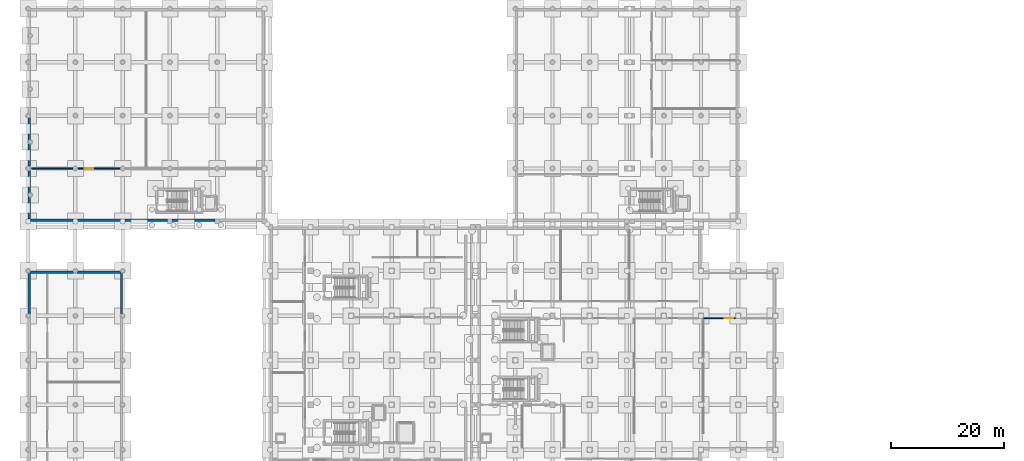
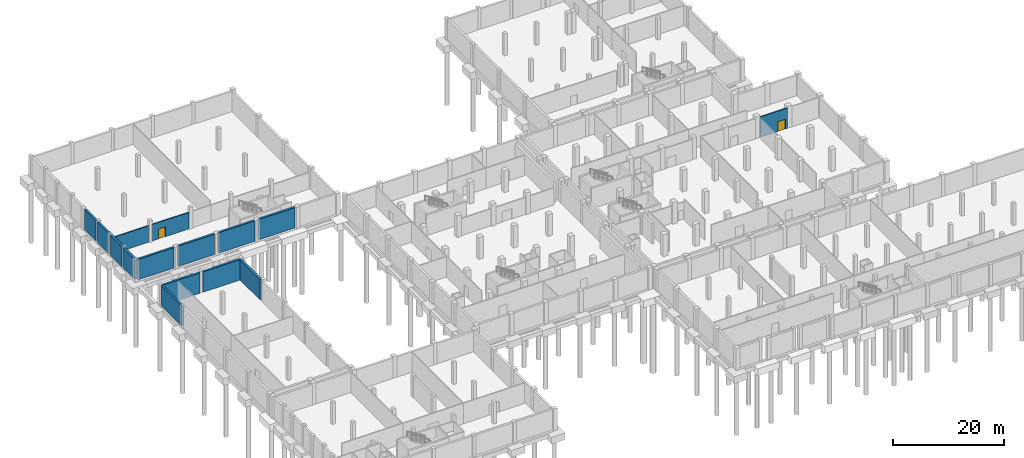
# One storey, part 18 of 29: 15 walls, 2 doors, 2 openings.
"""IFC4 building model written with IfcOpenShell, lengths in metres."""

import ifcopenshell
import ifcopenshell.guid

model = None  # the IFC model being written
_history = None  # IfcOwnerHistory: only IFC2X3 demands one
_inside = {}  # id of a spatial element -> (the spatial element, [elements in it])
_under = {}  # id of a project, library or spatial element -> (it, [spatial elements below it])
_declared = {}  # id of a project -> (the project, [libraries it declares])
_typed = {}  # id of a type object -> (the type object, [elements of that type])
_made_of = {}  # id of a material, layer set ... -> (it, [elements and type objects made of it])


def new_model(schema):
    """Start an empty IFC model of exactly this schema.

    Asked for "IFC4X3", IfcOpenShell would pick the latest addendum, in which some entities
    have other attributes; the version numbers below select the first issue.
    IFC2X3 requires an IfcOwnerHistory on every rooted entity: one is made here for all.
    """
    global model, _history
    if schema == "IFC4X3":
        model = ifcopenshell.file(schema_version=(4, 3, 0, 0))
    else:
        model = ifcopenshell.file(schema=schema)
    _inside.clear()
    _under.clear()
    _declared.clear()
    _typed.clear()
    _made_of.clear()
    _history = None
    if model.schema == "IFC2X3":
        org = make("IfcOrganization", Name="unknown")
        user = make(
            "IfcPersonAndOrganization",
            ThePerson=make("IfcPerson", FamilyName="unknown"),
            TheOrganization=org,
        )
        app = make(
            "IfcApplication",
            ApplicationDeveloper=org,
            Version="unknown",
            ApplicationFullName="unknown",
            ApplicationIdentifier="unknown",
        )
        _history = make(
            "IfcOwnerHistory",
            OwningUser=user,
            OwningApplication=app,
            ChangeAction="ADDED",
            CreationDate=0,
        )
    return model


def make(cls, **values):
    """One entity of the class cls with the attributes given. An attribute that is None is left unset."""
    return model.create_entity(
        cls, **{name: value for name, value in values.items() if value is not None}
    )


def rooted(cls, **values):
    """An entity with a GlobalId (a new one), such as an element, a storey or a relation."""
    return make(cls, GlobalId=ifcopenshell.guid.new(), OwnerHistory=_history, **values)


def si_unit(unit_type, name, prefix=None):
    """IfcSIUnit, for example si_unit("LENGTHUNIT", "METRE", prefix="MILLI")."""
    return make("IfcSIUnit", UnitType=unit_type, Prefix=prefix, Name=name)


def assignment(units):
    """IfcUnitAssignment: the units of a project."""
    return None if units is None else make("IfcUnitAssignment", Units=units)


def point(xyz):
    """IfcCartesianPoint."""
    return None if xyz is None else make("IfcCartesianPoint", Coordinates=xyz)


def direction(xyz):
    """IfcDirection."""
    return None if xyz is None else make("IfcDirection", DirectionRatios=xyz)


def frame(location, z_axis=None, x_axis=None):
    """IfcAxis2Placement3D, a coordinate frame: its origin and axes. An axis left out is left unset."""
    return make(
        "IfcAxis2Placement3D",
        Location=point(location),
        Axis=direction(z_axis),
        RefDirection=direction(x_axis),
    )


def frame_2d(location, x_axis=None):
    """IfcAxis2Placement2D, a coordinate frame in the plane: its origin and x axis."""
    return make(
        "IfcAxis2Placement2D", Location=point(location), RefDirection=direction(x_axis)
    )


def origin():
    """The frame at (0, 0, 0) with its axes left unset."""
    return frame((0.0, 0.0, 0.0))


def place(relative_to, where):
    """IfcLocalPlacement: puts the frame where relative to a parent placement (None: the world)."""
    return make(
        "IfcLocalPlacement", PlacementRelTo=relative_to, RelativePlacement=where
    )


def context(
    kind, dimensions, precision=None, world=None, true_north=None, identifier=None
):
    """IfcGeometricRepresentationContext, for example the 3D "Model" context."""
    return make(
        "IfcGeometricRepresentationContext",
        ContextIdentifier=identifier,
        ContextType=kind,
        CoordinateSpaceDimension=dimensions,
        Precision=precision,
        WorldCoordinateSystem=world,
        TrueNorth=true_north,
    )


def subcontext(parent, identifier, kind, view, scale=None):
    """IfcGeometricRepresentationSubContext, for example "Body" below "Model"."""
    return make(
        "IfcGeometricRepresentationSubContext",
        ContextIdentifier=identifier,
        ContextType=kind,
        ParentContext=parent,
        TargetScale=scale,
        TargetView=view,
    )


def project(units=None, contexts=None):
    """IfcProject with its units and contexts."""
    return rooted(
        "IfcProject",
        Name="project",
        RepresentationContexts=contexts,
        UnitsInContext=assignment(units),
    )


def spatial(cls, under=None, at=None, **own):
    """A site, building, storey or space (cls), placed at a placement, below another one or the project."""
    s = rooted(cls, ObjectPlacement=at, **own)
    if under is not None:
        _under.setdefault(under.id(), (under, []))[1].append(s)
    return s


def profile(cls, at=None, kind="AREA", **sizes):
    """A parametric profile (cls). Its sizes go by their IFC names, for example OverallWidth=200.0."""
    return make(cls, ProfileType=kind, Position=at, **sizes)


def rectangle(**sizes):
    """IfcRectangleProfileDef."""
    return profile("IfcRectangleProfileDef", **sizes)


def extrude(swept, where, along, depth):
    """IfcExtrudedAreaSolid: the profile swept, set in the frame where, extruded along a direction by depth."""
    return make(
        "IfcExtrudedAreaSolid",
        SweptArea=swept,
        Position=where,
        ExtrudedDirection=direction(along),
        Depth=depth,
    )


def shape(context_of_items, identifier, shape_type, items):
    """IfcShapeRepresentation: the items that make up one representation, for example the "Body"."""
    return make(
        "IfcShapeRepresentation",
        ContextOfItems=context_of_items,
        RepresentationIdentifier=identifier,
        RepresentationType=shape_type,
        Items=items,
    )


def material(Name=None, Category=None):
    """IfcMaterial."""
    return make("IfcMaterial", Name=Name, Category=Category)


def layer(
    of_material, thickness, ventilated=None, Name=None, Category=None, Priority=None
):
    """IfcMaterialLayer: one layer of a wall or slab, of a material (None: an air gap)."""
    return make(
        "IfcMaterialLayer",
        Material=of_material,
        LayerThickness=thickness,
        IsVentilated=ventilated,
        Name=Name,
        Category=Category,
        Priority=Priority,
    )


def layer_set(layers, Name=None):
    """IfcMaterialLayerSet."""
    return make("IfcMaterialLayerSet", MaterialLayers=layers, LayerSetName=Name)


def made_of(thing, what):
    """Note that an element or type object is made of a material, layer set ...; save() writes the relation."""
    if what is not None:
        _made_of.setdefault(what.id(), (what, []))[1].append(thing)
    return thing


def type_object(cls, material=None, **own):
    """A type object (cls), such as IfcWallType, which elements share."""
    return made_of(rooted(cls, **own), material)


def element(
    cls,
    number,
    at=None,
    inside=None,
    cuts=None,
    type_object=None,
    material=None,
    context=None,
    identifier="Body",
    shape_type=None,
    held_by="IfcProductDefinitionShape",
    body=None,
    shapes=None,
    **own,
):
    """One element of the class cls, such as IfcWall. Its Tag is "e" and its number.

    at: its placement. inside: the storey or other place that contains it. cuts: it is an
    opening in that element (IfcRelVoidsElement). A single representation is given by context,
    identifier, shape_type and body (its items); several are given by shapes. held_by: the class
    of the entity that holds the representations. save() writes the other relations.
    """
    e = rooted(cls, Tag="e%d" % number, ObjectPlacement=at, **own)
    if body is not None:
        shapes = [shape(context, identifier, shape_type, body)]
    if shapes is not None:
        e.Representation = make(held_by, Representations=shapes)
    if inside is not None:
        _inside.setdefault(inside.id(), (inside, []))[1].append(e)
    if cuts is not None:
        rooted(
            "IfcRelVoidsElement", RelatingBuildingElement=cuts, RelatedOpeningElement=e
        )
    if type_object is not None:
        _typed.setdefault(type_object.id(), (type_object, []))[1].append(e)
    return made_of(e, material)


def fill(opening, filler):
    """IfcRelFillsElement: the door or window that sits in an opening."""
    return rooted(
        "IfcRelFillsElement",
        RelatingOpeningElement=opening,
        RelatedBuildingElement=filler,
    )


def aggregate(whole, parts):
    """IfcRelAggregates: a whole, such as a stair, and the parts it consists of."""
    return rooted("IfcRelAggregates", RelatingObject=whole, RelatedObjects=parts)


def save(model, path):
    """Write the relations noted so far, then the file.

    IfcRelAggregates (storeys below a building ...), IfcRelContainedInSpatialStructure (elements
    in a storey), IfcRelDefinesByType, IfcRelAssociatesMaterial and IfcRelDeclares: one each for
    every whole, place, type object, material and project.
    """
    for whole, parts in _under.values():
        aggregate(whole, parts)
    for where, things in _inside.values():
        rooted(
            "IfcRelContainedInSpatialStructure",
            RelatedElements=things,
            RelatingStructure=where,
        )
    for kind, things in _typed.values():
        rooted("IfcRelDefinesByType", RelatedObjects=things, RelatingType=kind)
    for what, things in _made_of.values():
        rooted("IfcRelAssociatesMaterial", RelatedObjects=things, RelatingMaterial=what)
    for by, libraries in _declared.values():
        rooted("IfcRelDeclares", RelatingContext=by, RelatedDefinitions=libraries)
    model.write(path)


model = new_model("IFC4")

# Units and contexts
model_context = context("Model", 3, precision=1e-05, world=origin(), true_north=direction((0.0, 1.0)))
body_context = subcontext(model_context, "Body", "Model", "MODEL_VIEW")
ifc_project = project(units=[si_unit("LENGTHUNIT", "METRE"), si_unit("AREAUNIT", "SQUARE_METRE"), si_unit("VOLUMEUNIT", "CUBIC_METRE"), si_unit("PLANEANGLEUNIT", "RADIAN"), si_unit("MASSUNIT", "GRAM", prefix="KILO")], contexts=[model_context])

# Site, building, storey
site_placement = place(None, origin())
site = spatial("IfcSite", under=ifc_project, at=site_placement, CompositionType="ELEMENT")
building_placement = place(site_placement, origin())
building = spatial("IfcBuilding", under=site, at=building_placement, Name="Kelarvand Opera House", CompositionType="ELEMENT")
storey_placement = place(building_placement, frame((0.0, 0.0, -9.60009765625)))
storey = spatial("IfcBuildingStorey", under=building, at=storey_placement, Name="B2", CompositionType="ELEMENT", Elevation=-9.60009765625)

# Walls
ifc_material_1 = material(Name="Concrete C35/45", Category="concrete")
ifc_layer_1 = layer(ifc_material_1, 0.419921875, Name="Concrete C35/45", Category="concrete")
ifc_layer_set_1 = layer_set([ifc_layer_1], Name="Concrete C35/45")
wall_type_1 = type_object("IfcWallType", Name="Basement Perimeter Retaining Wall 420", PredefinedType="SHEAR", material=ifc_layer_set_1)
wall_1_placement = place(storey_placement, frame((9.2099609375, 87.610107421875, 0.0), z_axis=(0.0, 0.0, 1.0), x_axis=(0.0, 1.0, 0.0)))
element("IfcWall", 1, at=wall_1_placement, inside=storey, type_object=wall_type_1, Name="V3 B2 Retaining Wall 356", PredefinedType="SHEAR", context=body_context, shape_type="SweptSolid", body=[
    extrude(rectangle(XDim=3.989990234375, YDim=0.419921875, at=frame_2d((1.9951171875, 0.0))), origin(), (0.0, 0.0, 1.0), 4.5),
])
for number, where, z_axis, x_axis, name in (
    (2, (9.2099609375, 92.199951171875, 0.0), (0.0, 0.0, 1.0), (0.0, 1.0, 0.0), "V3 B2 Retaining Wall 357"),
    (3, (9.2099609375, 96.925048828125, 0.0), (0.0, 0.0, 1.0), (0.0, 1.0, 0.0), "V3 B2 Retaining Wall 358"),
    (4, (9.2099609375, 101.60009765625, 0.0), (0.0, 0.0, 1.0), (0.0, 1.0, 0.0), "V3 B2 Retaining Wall 359"),
):
    element("IfcWall", number, at=place(storey_placement, frame(where, z_axis=z_axis, x_axis=x_axis)), inside=storey, type_object=wall_type_1, Name=name, PredefinedType="SHEAR", context=body_context, shape_type="SweptSolid", body=[
        extrude(rectangle(XDim=4.074951171875, YDim=0.419921875, at=frame_2d((2.03759765625, 0.0))), origin(), (0.0, 0.0, 1.0), 4.5),
    ])
wall_2_placement = place(storey_placement, frame((42.18994140625, 87.409912109375, 0.0), z_axis=(0.0, 0.0, 1.0), x_axis=(-1.0, 0.0, 0.0)))
element("IfcWall", 5, at=wall_2_placement, inside=storey, type_object=wall_type_1, Name="V3 B2 Retaining Wall 365", PredefinedType="SHEAR", context=body_context, shape_type="SweptSolid", body=[
    extrude(rectangle(XDim=7.579833984375, YDim=0.419921875, at=frame_2d((3.7900390625, 0.0))), origin(), (0.0, 0.0, 1.0), 4.5),
])
wall_3_placement = place(storey_placement, frame((33.7900390625, 87.409912109375, 0.0), z_axis=(0.0, 0.0, 1.0), x_axis=(-1.0, 0.0, 0.0)))
element("IfcWall", 6, at=wall_3_placement, inside=storey, type_object=wall_type_1, Name="V3 B2 Retaining Wall 366", PredefinedType="SHEAR", context=body_context, shape_type="SweptSolid", body=[
    extrude(rectangle(XDim=7.580078125, YDim=0.419921875, at=frame_2d((3.7900390625, 0.0))), origin(), (0.0, 0.0, 1.0), 4.5),
])
wall_4_placement = place(storey_placement, frame((25.389892578125, 87.409912109375, 0.0), z_axis=(0.0, 0.0, 1.0), x_axis=(-1.0, 0.0, 0.0)))
element("IfcWall", 7, at=wall_4_placement, inside=storey, type_object=wall_type_1, Name="V3 B2 Retaining Wall 367", PredefinedType="SHEAR", context=body_context, shape_type="SweptSolid", body=[
    extrude(rectangle(XDim=7.579833984375, YDim=0.419921875, at=frame_2d((3.7900390625, 0.0))), origin(), (0.0, 0.0, 1.0), 4.5),
])
wall_5_placement = place(storey_placement, frame((16.989990234375, 87.409912109375, 0.0), z_axis=(0.0, 0.0, 1.0), x_axis=(-1.0, 0.0, 0.0)))
element("IfcWall", 8, at=wall_5_placement, inside=storey, type_object=wall_type_1, Name="V3 B2 Retaining Wall 368", PredefinedType="SHEAR", context=body_context, shape_type="SweptSolid", body=[
    extrude(rectangle(XDim=7.580078125, YDim=0.419921875, at=frame_2d((3.7900390625, 0.0))), origin(), (0.0, 0.0, 1.0), 4.5),
])
wall_6_placement = place(storey_placement, frame((9.2099609375, 70.72509765625, 0.0), z_axis=(0.0, 0.0, 1.0), x_axis=(0.0, 1.0, 0.0)))
element("IfcWall", 9, at=wall_6_placement, inside=storey, type_object=wall_type_1, Name="V4 B2 Retaining Wall 456", PredefinedType="SHEAR", context=body_context, shape_type="SweptSolid", body=[
    extrude(rectangle(XDim=7.349853515625, YDim=0.419921875, at=frame_2d((3.6748046875, 0.0))), origin(), (0.0, 0.0, 1.0), 4.5),
])
for number, where, z_axis, x_axis, name in (
    (10, (9.324951171875, 78.18994140625, 0.0), (0.0, 0.0, 1.0), (1.0, 0.0, 0.0), "V4 B2 Retaining Wall 457"),
    (11, (17.72509765625, 78.18994140625, 0.0), (0.0, 0.0, 1.0), (1.0, 0.0, 0.0), "V4 B2 Retaining Wall 458"),
):
    element("IfcWall", number, at=place(storey_placement, frame(where, z_axis=z_axis, x_axis=x_axis)), inside=storey, type_object=wall_type_1, Name=name, PredefinedType="SHEAR", context=body_context, shape_type="SweptSolid", body=[
        extrude(rectangle(XDim=7.75, YDim=0.419921875, at=frame_2d((3.875, 0.0))), origin(), (0.0, 0.0, 1.0), 4.5),
    ])
wall_7_placement = place(storey_placement, frame((25.590087890625, 78.074951171875, 0.0), z_axis=(0.0, 0.0, 1.0), x_axis=(0.0, -1.0, 0.0)))
element("IfcWall", 12, at=wall_7_placement, inside=storey, type_object=wall_type_1, Name="V4 B2 Retaining Wall 459", PredefinedType="SHEAR", context=body_context, shape_type="SweptSolid", body=[
    extrude(rectangle(XDim=7.349853515625, YDim=0.419921875, at=frame_2d((3.6748046875, 0.0))), origin(), (0.0, 0.0, 1.0), 4.5),
])

# Wall, opening, door
ifc_layer_2 = layer(ifc_material_1, 0.179931640625, Name="Concrete C35/45", Category="concrete")
ifc_layer_set_2 = layer_set([ifc_layer_2], Name="Concrete C35/45")
wall_type_2 = type_object("IfcWallType", Name="Corridor Fire-Rated Partition Wall 180 EI90", PredefinedType="PARTITIONING", material=ifc_layer_set_2)
wall_8_placement = place(storey_placement, frame((129.074951171875, 70.0, 0.0), z_axis=(0.0, 0.0, 1.0), x_axis=(1.0, 0.0, 0.0)))
wall_8 = element("IfcWall", 13, at=wall_8_placement, inside=storey, type_object=wall_type_2, Name="V1 B2 Partition Wall IW-90 (40)", PredefinedType="PARTITIONING", context=body_context, shape_type="SweptSolid", body=[
    extrude(rectangle(XDim=5.650146484375, YDim=0.179931640625, at=frame_2d((2.8251953125, 0.0))), origin(), (0.0, 0.0, 1.0), 4.4921875),
])
opening_1_placement = place(wall_8_placement, frame((3.70703125, 0.0, 0.0)))
opening_1 = element("IfcOpeningElement", 14, at=opening_1_placement, cuts=wall_8, Name="Opening D-07", PredefinedType="OPENING", context=body_context, shape_type="SweptSolid", body=[
    extrude(rectangle(XDim=1.5, YDim=2.14990234375, at=frame_2d((0.75, 1.074951171875))), frame((0.0, 0.10009765625, 0.0), z_axis=(0.0, -1.0, 0.0), x_axis=(1.0, 0.0, 0.0)), (0.0, 0.0, 1.0), 0.199951171875),
])
ifc_material_2 = material(Name="Acoustic walnut-veneered hardwood", Category="wood")
door_type_1 = type_object("IfcDoorType", Name="Rehearsal Instrument Double Door 1500x2150", OperationType="NOTDEFINED", PredefinedType="DOOR", material=ifc_material_2)
door_1_placement = place(opening_1_placement, origin())
door_1 = element("IfcDoor", 15, at=door_1_placement, inside=storey, type_object=door_type_1, Name="V1 B2 Door D-07 (12)", OperationType="DOUBLE_DOOR_SINGLE_SWING", OverallHeight=2.14990234375, OverallWidth=1.5, PredefinedType="DOOR", context=body_context, shape_type="SweptSolid", body=[
    extrude(rectangle(XDim=1.5, YDim=2.14990234375, at=frame_2d((0.75, 1.074951171875))), frame((0.0, 0.02490234375, 0.0), z_axis=(0.0, -1.0, 0.0), x_axis=(1.0, 0.0, 0.0)), (0.0, 0.0, 1.0), 0.050048828125),
])
fill(opening_1, door_1)

# Wall
wall_9_placement = place(storey_placement, frame((9.60009765625, 96.60009765625, 0.0), z_axis=(0.0, 0.0, 1.0), x_axis=(1.0, 0.0, 0.0)))
element("IfcWall", 16, at=wall_9_placement, inside=storey, type_object=wall_type_2, Name="V3 B2 Partition Wall IW-90 (70)", PredefinedType="PARTITIONING", context=body_context, shape_type="SweptSolid", body=[
    extrude(rectangle(XDim=7.474853515625, YDim=0.179931640625, at=frame_2d((3.7373046875, 0.0))), origin(), (0.0, 0.0, 1.0), 3.64208984375),
])

# Wall, opening, door
wall_10_placement = place(storey_placement, frame((17.72509765625, 96.60009765625, 0.0), z_axis=(0.0, 0.0, 1.0), x_axis=(1.0, 0.0, 0.0)))
wall_10 = element("IfcWall", 17, at=wall_10_placement, inside=storey, type_object=wall_type_2, Name="V3 B2 Partition Wall IW-90 (71)", PredefinedType="PARTITIONING", context=body_context, shape_type="SweptSolid", body=[
    extrude(rectangle(XDim=7.75, YDim=0.179931640625, at=frame_2d((3.875, 0.0))), origin(), (0.0, 0.0, 1.0), 3.64208984375),
])
opening_2_placement = place(wall_10_placement, frame((1.3349609375, 0.0, 0.0)))
opening_2 = element("IfcOpeningElement", 18, at=opening_2_placement, cuts=wall_10, Name="Opening D-13", PredefinedType="OPENING", context=body_context, shape_type="SweptSolid", body=[
    extrude(rectangle(XDim=1.47998046875, YDim=2.179931640625, at=frame_2d((0.739990234375, 1.08984375))), frame((0.0, 0.10009765625, 0.0), z_axis=(0.0, -1.0, 0.0), x_axis=(1.0, 0.0, 0.0)), (0.0, 0.0, 1.0), 0.199951171875),
])
door_type_2 = type_object("IfcDoorType", Name="Academy Recital Double Door 1480x2180", OperationType="NOTDEFINED", PredefinedType="DOOR", material=ifc_material_2)
door_2_placement = place(opening_2_placement, origin())
door_2 = element("IfcDoor", 19, at=door_2_placement, inside=storey, type_object=door_type_2, Name="V3 B2 Door D-13 (28)", OperationType="DOUBLE_DOOR_SINGLE_SWING", OverallHeight=2.179931640625, OverallWidth=1.47998046875, PredefinedType="DOOR", context=body_context, shape_type="SweptSolid", body=[
    extrude(rectangle(XDim=1.47998046875, YDim=2.179931640625, at=frame_2d((0.739990234375, 1.08984375))), frame((0.0, 0.02490234375, 0.0), z_axis=(0.0, -1.0, 0.0), x_axis=(1.0, 0.0, 0.0)), (0.0, 0.0, 1.0), 0.050048828125),
])
fill(opening_2, door_2)

save(model, "model.ifc")
